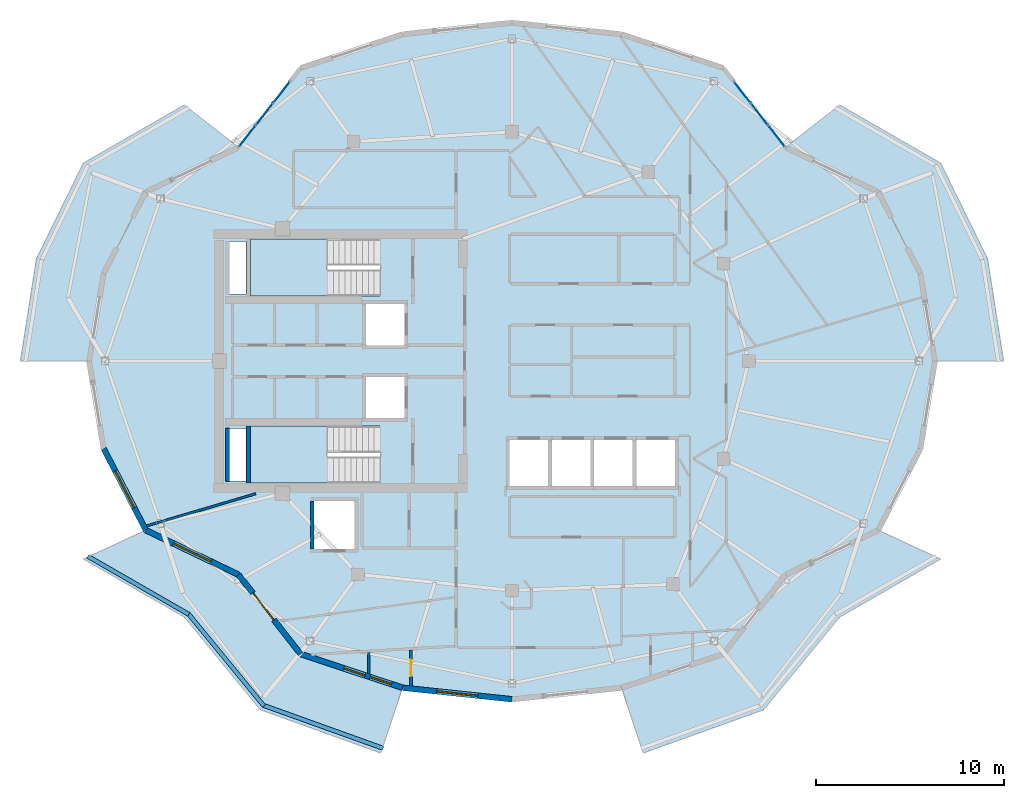
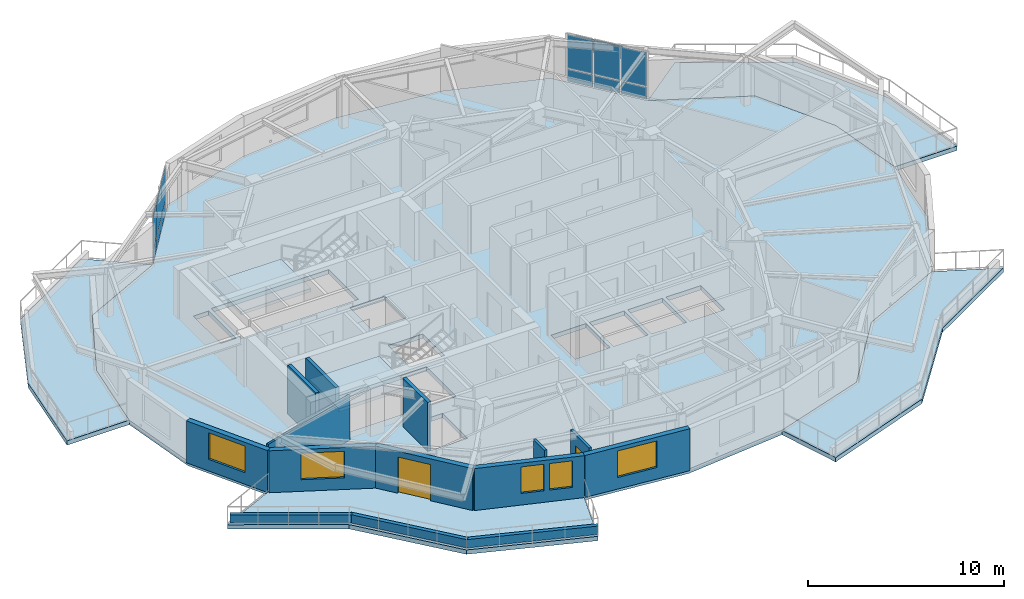
# One storey, part 6 of 14: 14 plates, 14 walls, 7 slabs, 5 windows, 2 doors, 7 openings, 4 elements without a shape of their own.
"""IFC4 building model written with IfcOpenShell, lengths in metres."""

import ifcopenshell
import ifcopenshell.guid

model = None  # the IFC model being written
_history = None  # IfcOwnerHistory: only IFC2X3 demands one
_inside = {}  # id of a spatial element -> (the spatial element, [elements in it])
_under = {}  # id of a project, library or spatial element -> (it, [spatial elements below it])
_declared = {}  # id of a project -> (the project, [libraries it declares])
_typed = {}  # id of a type object -> (the type object, [elements of that type])
_made_of = {}  # id of a material, layer set ... -> (it, [elements and type objects made of it])


def new_model(schema):
    """Start an empty IFC model of exactly this schema.

    Asked for "IFC4X3", IfcOpenShell would pick the latest addendum, in which some entities
    have other attributes; the version numbers below select the first issue.
    IFC2X3 requires an IfcOwnerHistory on every rooted entity: one is made here for all.
    """
    global model, _history
    if schema == "IFC4X3":
        model = ifcopenshell.file(schema_version=(4, 3, 0, 0))
    else:
        model = ifcopenshell.file(schema=schema)
    _inside.clear()
    _under.clear()
    _declared.clear()
    _typed.clear()
    _made_of.clear()
    _history = None
    if model.schema == "IFC2X3":
        org = make("IfcOrganization", Name="unknown")
        user = make(
            "IfcPersonAndOrganization",
            ThePerson=make("IfcPerson", FamilyName="unknown"),
            TheOrganization=org,
        )
        app = make(
            "IfcApplication",
            ApplicationDeveloper=org,
            Version="unknown",
            ApplicationFullName="unknown",
            ApplicationIdentifier="unknown",
        )
        _history = make(
            "IfcOwnerHistory",
            OwningUser=user,
            OwningApplication=app,
            ChangeAction="ADDED",
            CreationDate=0,
        )
    return model


def make(cls, **values):
    """One entity of the class cls with the attributes given. An attribute that is None is left unset."""
    return model.create_entity(
        cls, **{name: value for name, value in values.items() if value is not None}
    )


def rooted(cls, **values):
    """An entity with a GlobalId (a new one), such as an element, a storey or a relation."""
    return make(cls, GlobalId=ifcopenshell.guid.new(), OwnerHistory=_history, **values)


def si_unit(unit_type, name, prefix=None):
    """IfcSIUnit, for example si_unit("LENGTHUNIT", "METRE", prefix="MILLI")."""
    return make("IfcSIUnit", UnitType=unit_type, Prefix=prefix, Name=name)


def assignment(units):
    """IfcUnitAssignment: the units of a project."""
    return None if units is None else make("IfcUnitAssignment", Units=units)


def point(xyz):
    """IfcCartesianPoint."""
    return None if xyz is None else make("IfcCartesianPoint", Coordinates=xyz)


def direction(xyz):
    """IfcDirection."""
    return None if xyz is None else make("IfcDirection", DirectionRatios=xyz)


def frame(location, z_axis=None, x_axis=None):
    """IfcAxis2Placement3D, a coordinate frame: its origin and axes. An axis left out is left unset."""
    return make(
        "IfcAxis2Placement3D",
        Location=point(location),
        Axis=direction(z_axis),
        RefDirection=direction(x_axis),
    )


def frame_2d(location, x_axis=None):
    """IfcAxis2Placement2D, a coordinate frame in the plane: its origin and x axis."""
    return make(
        "IfcAxis2Placement2D", Location=point(location), RefDirection=direction(x_axis)
    )


def origin():
    """The frame at (0, 0, 0) with its axes left unset."""
    return frame((0.0, 0.0, 0.0))


def origin_2d():
    """The frame at (0, 0) in the plane with its x axis left unset."""
    return frame_2d((0.0, 0.0))


def place(relative_to, where):
    """IfcLocalPlacement: puts the frame where relative to a parent placement (None: the world)."""
    return make(
        "IfcLocalPlacement", PlacementRelTo=relative_to, RelativePlacement=where
    )


def context(
    kind, dimensions, precision=None, world=None, true_north=None, identifier=None
):
    """IfcGeometricRepresentationContext, for example the 3D "Model" context."""
    return make(
        "IfcGeometricRepresentationContext",
        ContextIdentifier=identifier,
        ContextType=kind,
        CoordinateSpaceDimension=dimensions,
        Precision=precision,
        WorldCoordinateSystem=world,
        TrueNorth=true_north,
    )


def subcontext(parent, identifier, kind, view, scale=None):
    """IfcGeometricRepresentationSubContext, for example "Body" below "Model"."""
    return make(
        "IfcGeometricRepresentationSubContext",
        ContextIdentifier=identifier,
        ContextType=kind,
        ParentContext=parent,
        TargetScale=scale,
        TargetView=view,
    )


def project(units=None, contexts=None):
    """IfcProject with its units and contexts."""
    return rooted(
        "IfcProject",
        Name="project",
        RepresentationContexts=contexts,
        UnitsInContext=assignment(units),
    )


def spatial(cls, under=None, at=None, **own):
    """A site, building, storey or space (cls), placed at a placement, below another one or the project."""
    s = rooted(cls, ObjectPlacement=at, **own)
    if under is not None:
        _under.setdefault(under.id(), (under, []))[1].append(s)
    return s


def polyline(points):
    """IfcPolyline through the points."""
    return make("IfcPolyline", Points=[point(p) for p in points])


def profile(cls, at=None, kind="AREA", **sizes):
    """A parametric profile (cls). Its sizes go by their IFC names, for example OverallWidth=200.0."""
    return make(cls, ProfileType=kind, Position=at, **sizes)


def rectangle(**sizes):
    """IfcRectangleProfileDef."""
    return profile("IfcRectangleProfileDef", **sizes)


def outline(outer, holes=None, kind="AREA"):
    """IfcArbitraryClosedProfileDef: a profile drawn as a closed curve; with holes, ...WithVoids."""
    if holes is None:
        return make("IfcArbitraryClosedProfileDef", ProfileType=kind, OuterCurve=outer)
    return make(
        "IfcArbitraryProfileDefWithVoids",
        ProfileType=kind,
        OuterCurve=outer,
        InnerCurves=holes,
    )


def extrude(swept, where, along, depth):
    """IfcExtrudedAreaSolid: the profile swept, set in the frame where, extruded along a direction by depth."""
    return make(
        "IfcExtrudedAreaSolid",
        SweptArea=swept,
        Position=where,
        ExtrudedDirection=direction(along),
        Depth=depth,
    )


def shape(context_of_items, identifier, shape_type, items):
    """IfcShapeRepresentation: the items that make up one representation, for example the "Body"."""
    return make(
        "IfcShapeRepresentation",
        ContextOfItems=context_of_items,
        RepresentationIdentifier=identifier,
        RepresentationType=shape_type,
        Items=items,
    )


def material(Name=None, Category=None):
    """IfcMaterial."""
    return make("IfcMaterial", Name=Name, Category=Category)


def layer(
    of_material, thickness, ventilated=None, Name=None, Category=None, Priority=None
):
    """IfcMaterialLayer: one layer of a wall or slab, of a material (None: an air gap)."""
    return make(
        "IfcMaterialLayer",
        Material=of_material,
        LayerThickness=thickness,
        IsVentilated=ventilated,
        Name=Name,
        Category=Category,
        Priority=Priority,
    )


def layer_set(layers, Name=None):
    """IfcMaterialLayerSet."""
    return make("IfcMaterialLayerSet", MaterialLayers=layers, LayerSetName=Name)


def made_of(thing, what):
    """Note that an element or type object is made of a material, layer set ...; save() writes the relation."""
    if what is not None:
        _made_of.setdefault(what.id(), (what, []))[1].append(thing)
    return thing


def type_object(cls, material=None, **own):
    """A type object (cls), such as IfcWallType, which elements share."""
    return made_of(rooted(cls, **own), material)


def element(
    cls,
    number,
    at=None,
    inside=None,
    cuts=None,
    type_object=None,
    material=None,
    context=None,
    identifier="Body",
    shape_type=None,
    held_by="IfcProductDefinitionShape",
    body=None,
    shapes=None,
    **own,
):
    """One element of the class cls, such as IfcWall. Its Tag is "e" and its number.

    at: its placement. inside: the storey or other place that contains it. cuts: it is an
    opening in that element (IfcRelVoidsElement). A single representation is given by context,
    identifier, shape_type and body (its items); several are given by shapes. held_by: the class
    of the entity that holds the representations. save() writes the other relations.
    """
    e = rooted(cls, Tag="e%d" % number, ObjectPlacement=at, **own)
    if body is not None:
        shapes = [shape(context, identifier, shape_type, body)]
    if shapes is not None:
        e.Representation = make(held_by, Representations=shapes)
    if inside is not None:
        _inside.setdefault(inside.id(), (inside, []))[1].append(e)
    if cuts is not None:
        rooted(
            "IfcRelVoidsElement", RelatingBuildingElement=cuts, RelatedOpeningElement=e
        )
    if type_object is not None:
        _typed.setdefault(type_object.id(), (type_object, []))[1].append(e)
    return made_of(e, material)


def fill(opening, filler):
    """IfcRelFillsElement: the door or window that sits in an opening."""
    return rooted(
        "IfcRelFillsElement",
        RelatingOpeningElement=opening,
        RelatedBuildingElement=filler,
    )


def aggregate(whole, parts):
    """IfcRelAggregates: a whole, such as a stair, and the parts it consists of."""
    return rooted("IfcRelAggregates", RelatingObject=whole, RelatedObjects=parts)


def save(model, path):
    """Write the relations noted so far, then the file.

    IfcRelAggregates (storeys below a building ...), IfcRelContainedInSpatialStructure (elements
    in a storey), IfcRelDefinesByType, IfcRelAssociatesMaterial and IfcRelDeclares: one each for
    every whole, place, type object, material and project.
    """
    for whole, parts in _under.values():
        aggregate(whole, parts)
    for where, things in _inside.values():
        rooted(
            "IfcRelContainedInSpatialStructure",
            RelatedElements=things,
            RelatingStructure=where,
        )
    for kind, things in _typed.values():
        rooted("IfcRelDefinesByType", RelatedObjects=things, RelatingType=kind)
    for what, things in _made_of.values():
        rooted("IfcRelAssociatesMaterial", RelatedObjects=things, RelatingMaterial=what)
    for by, libraries in _declared.values():
        rooted("IfcRelDeclares", RelatingContext=by, RelatedDefinitions=libraries)
    model.write(path)


model = new_model("IFC4")

# Units and contexts
model_context = context("Model", 3, precision=1e-05, world=origin(), true_north=direction((0.0, 1.0)))
body_context = subcontext(model_context, "Body", "Model", "MODEL_VIEW")
ifc_project = project(units=[si_unit("LENGTHUNIT", "METRE"), si_unit("AREAUNIT", "SQUARE_METRE"), si_unit("VOLUMEUNIT", "CUBIC_METRE"), si_unit("PLANEANGLEUNIT", "RADIAN"), si_unit("MASSUNIT", "GRAM", prefix="KILO")], contexts=[model_context])

# Site, building, storey
site_placement = place(None, origin())
site = spatial("IfcSite", under=ifc_project, at=site_placement, CompositionType="ELEMENT")
building_placement = place(site_placement, origin())
building = spatial("IfcBuilding", under=site, at=building_placement, Name="Kolvaren Gate Tower and Convention Centre", CompositionType="ELEMENT")
storey_placement = place(building_placement, frame((0.0, 0.0, 245.89990234375)))
storey = spatial("IfcBuildingStorey", under=building, at=storey_placement, Name="L66", CompositionType="ELEMENT", Elevation=245.89990234375)

# Plates
ifc_material_1 = material(Name="Perforated Anodized Bronze Aluminium Sheet 6 mm", Category="aluminium")
ifc_layer_1 = layer(ifc_material_1, 0.011962890625)
ifc_layer_set_1 = layer_set([ifc_layer_1], Name="Perforated Anodized Bronze Aluminium Sheet 6 mm")
plate_type_1 = type_object("IfcPlateType", Name="ARCH-PL-SCREEN-PERF", PredefinedType="SHEET", material=ifc_layer_set_1)
for number, where, z_axis, x_axis, name in (
    (1, (43.026123046875, 40.4794921875, 2.18994140625), (0.0, 0.0, 1.0), (0.616435493395, -0.787405411769, 0.0), "Tower L66 Perforated Bronze Solar Screen SS-03"),
    (2, (17.223876953125, 40.4794921875, 2.18994140625), (0.0, 0.0, 1.0), (0.616435493395, 0.787405411769, 0.0), "Tower L66 Perforated Bronze Solar Screen SS-08"),
):
    element("IfcPlate", number, at=place(storey_placement, frame(where, z_axis=z_axis, x_axis=x_axis)), inside=storey, type_object=plate_type_1, Name=name, PredefinedType="SHEET", context=body_context, shape_type="SweptSolid", body=[
        extrude(rectangle(XDim=2.60009765625, YDim=0.011962890625, at=origin_2d()), origin(), (0.0, 0.0, 1.0), 0.840087890625),
    ])

# Curtain wall, plates
ifc_material_2 = material(Name="Anodized Architectural Aluminium Alloy 6063-T6", Category="aluminium")
ifc_layer_2 = layer(ifc_material_2, 0.159912109375)
ifc_layer_set_2 = layer_set([ifc_layer_2], Name="Anodized Architectural Aluminium Alloy 6063-T6")
curtain_wall_type = type_object("IfcCurtainWallType", Name="CW-RES-UNIT", PredefinedType="NOTDEFINED", material=ifc_layer_set_2)
curtain_wall_1_placement = place(storey_placement, origin())
curtain_wall_1 = element("IfcCurtainWall", 3, at=curtain_wall_1_placement, inside=storey, type_object=curtain_wall_type, Name="Tower L66 Unitised Curtain Wall CW-RES-UNIT Bay 03", PredefinedType="NOTDEFINED")
ifc_material_3 = material(Name="Low-E Triple Insulated Glazing Unit 44 mm", Category="glass")
ifc_layer_3 = layer(ifc_material_3, 0.0439453125)
ifc_layer_set_3 = layer_set([ifc_layer_3], Name="Low-E Triple Insulated Glazing Unit 44 mm")
plate_type_2 = type_object("IfcPlateType", Name="CW-PL-IGU-44", PredefinedType="CURTAIN_PANEL", material=ifc_layer_set_3)
plate_1_placement = place(storey_placement, frame((42.385498046875, 41.2978515625, 0.882568359375), z_axis=(0.0, 0.0, 1.0), x_axis=(0.616438827479, -0.787402801606, 0.0)))
plate_1 = element("IfcPlate", 4, at=plate_1_placement, type_object=plate_type_2, Name="CW-04 panel 1.2", PredefinedType="CURTAIN_PANEL", context=body_context, shape_type="SweptSolid", body=[
    extrude(rectangle(XDim=1.396240234375, YDim=0.0439453125, at=origin_2d()), origin(), (0.0, 0.0, 1.0), 2.08251953125),
])
plate_2_placement = place(storey_placement, frame((43.296142578125, 40.134521484375, 0.882568359375), z_axis=(0.0, 0.0, 1.0), x_axis=(0.616438827479, -0.787402801606, 0.0)))
plate_2 = element("IfcPlate", 5, at=plate_2_placement, type_object=plate_type_2, Name="CW-04 panel 2.2", PredefinedType="CURTAIN_PANEL", context=body_context, shape_type="SweptSolid", body=[
    extrude(rectangle(XDim=1.4287109375, YDim=0.0439453125, at=origin_2d()), origin(), (0.0, 0.0, 1.0), 2.08251953125),
])
plate_3_placement = place(storey_placement, frame((44.206787109375, 38.97119140625, 0.882568359375), z_axis=(0.0, 0.0, 1.0), x_axis=(0.616438827479, -0.787402801606, 0.0)))
plate_3 = element("IfcPlate", 6, at=plate_3_placement, type_object=plate_type_2, Name="CW-04 panel 3.2", PredefinedType="CURTAIN_PANEL", context=body_context, shape_type="SweptSolid", body=[
    extrude(rectangle(XDim=1.396240234375, YDim=0.0439453125, at=origin_2d()), origin(), (0.0, 0.0, 1.0), 2.08251953125),
])

curtain_wall_2_placement = place(storey_placement, origin())
curtain_wall_2 = element("IfcCurtainWall", 7, at=curtain_wall_2_placement, inside=storey, type_object=curtain_wall_type, Name="Tower L66 Unitised Curtain Wall CW-RES-UNIT Bay 08", PredefinedType="NOTDEFINED")
plate_4_placement = place(storey_placement, frame((16.04296875, 38.97119140625, 0.882568359375), z_axis=(0.0, 0.0, 1.0), x_axis=(0.61642499112, 0.787413633564, 0.0)))
plate_4 = element("IfcPlate", 8, at=plate_4_placement, type_object=plate_type_2, Name="CW-04 panel 1.2", PredefinedType="CURTAIN_PANEL", context=body_context, shape_type="SweptSolid", body=[
    extrude(rectangle(XDim=1.396240234375, YDim=0.0439453125, at=origin_2d()), origin(), (0.0, 0.0, 1.0), 2.08251953125),
])
plate_5_placement = place(storey_placement, frame((16.953857421875, 40.134521484375, 0.882568359375), z_axis=(0.0, 0.0, 1.0), x_axis=(0.61642499112, 0.787413633564, 0.0)))
plate_5 = element("IfcPlate", 9, at=plate_5_placement, type_object=plate_type_2, Name="CW-04 panel 2.2", PredefinedType="CURTAIN_PANEL", context=body_context, shape_type="SweptSolid", body=[
    extrude(rectangle(XDim=1.4287109375, YDim=0.0439453125, at=origin_2d()), origin(), (0.0, 0.0, 1.0), 2.08251953125),
])
plate_6_placement = place(storey_placement, frame((17.864501953125, 41.2978515625, 0.882568359375), z_axis=(0.0, 0.0, 1.0), x_axis=(0.61642499112, 0.787413633564, 0.0)))
plate_6 = element("IfcPlate", 10, at=plate_6_placement, type_object=plate_type_2, Name="CW-04 panel 3.2", PredefinedType="CURTAIN_PANEL", context=body_context, shape_type="SweptSolid", body=[
    extrude(rectangle(XDim=1.396240234375, YDim=0.0439453125, at=origin_2d()), origin(), (0.0, 0.0, 1.0), 2.08251953125),
])

# Plate
ifc_material_4 = material(Name="Solar-Control Laminated Curtain Glazing 36 mm", Category="glass")
ifc_layer_4 = layer(ifc_material_4, 0.035888671875)
ifc_layer_set_4 = layer_set([ifc_layer_4], Name="Solar-Control Laminated Curtain Glazing 36 mm")
plate_type_3 = type_object("IfcPlateType", Name="CW-PL-SPAN-36", PredefinedType="CURTAIN_PANEL", material=ifc_layer_set_4)
plate_7_placement = place(storey_placement, frame((42.385498046875, 41.2978515625, 0.065185546875), z_axis=(0.0, 0.0, 1.0), x_axis=(0.616438827479, -0.787402801606, 0.0)))
plate_7 = element("IfcPlate", 11, at=plate_7_placement, type_object=plate_type_3, Name="CW-04 panel 1.1", PredefinedType="CURTAIN_PANEL", context=body_context, shape_type="SweptSolid", body=[
    extrude(rectangle(XDim=1.396240234375, YDim=0.035888671875, at=origin_2d()), origin(), (0.0, 0.0, 1.0), 0.75244140625),
])

plate_8_placement = place(storey_placement, frame((43.296142578125, 40.134521484375, 0.065185546875), z_axis=(0.0, 0.0, 1.0), x_axis=(0.616438827479, -0.787402801606, 0.0)))
plate_8 = element("IfcPlate", 12, at=plate_8_placement, type_object=plate_type_3, Name="CW-04 panel 2.1", PredefinedType="CURTAIN_PANEL", context=body_context, shape_type="SweptSolid", body=[
    extrude(rectangle(XDim=1.4287109375, YDim=0.035888671875, at=origin_2d()), origin(), (0.0, 0.0, 1.0), 0.75244140625),
])

plate_9_placement = place(storey_placement, frame((44.206787109375, 38.97119140625, 0.065185546875), z_axis=(0.0, 0.0, 1.0), x_axis=(0.616438827479, -0.787402801606, 0.0)))
plate_9 = element("IfcPlate", 13, at=plate_9_placement, type_object=plate_type_3, Name="CW-04 panel 3.1", PredefinedType="CURTAIN_PANEL", context=body_context, shape_type="SweptSolid", body=[
    extrude(rectangle(XDim=1.396240234375, YDim=0.035888671875, at=origin_2d()), origin(), (0.0, 0.0, 1.0), 0.75244140625),
])

aggregate(curtain_wall_1, [plate_7, plate_1, plate_8, plate_2, plate_9, plate_3])

plate_10_placement = place(storey_placement, frame((16.04296875, 38.97119140625, 0.065185546875), z_axis=(0.0, 0.0, 1.0), x_axis=(0.61642499112, 0.787413633564, 0.0)))
plate_10 = element("IfcPlate", 14, at=plate_10_placement, type_object=plate_type_3, Name="CW-04 panel 1.1", PredefinedType="CURTAIN_PANEL", context=body_context, shape_type="SweptSolid", body=[
    extrude(rectangle(XDim=1.396240234375, YDim=0.035888671875, at=origin_2d()), origin(), (0.0, 0.0, 1.0), 0.75244140625),
])

plate_11_placement = place(storey_placement, frame((16.953857421875, 40.134521484375, 0.065185546875), z_axis=(0.0, 0.0, 1.0), x_axis=(0.61642499112, 0.787413633564, 0.0)))
plate_11 = element("IfcPlate", 15, at=plate_11_placement, type_object=plate_type_3, Name="CW-04 panel 2.1", PredefinedType="CURTAIN_PANEL", context=body_context, shape_type="SweptSolid", body=[
    extrude(rectangle(XDim=1.4287109375, YDim=0.035888671875, at=origin_2d()), origin(), (0.0, 0.0, 1.0), 0.75244140625),
])

plate_12_placement = place(storey_placement, frame((17.864501953125, 41.2978515625, 0.065185546875), z_axis=(0.0, 0.0, 1.0), x_axis=(0.61642499112, 0.787413633564, 0.0)))
plate_12 = element("IfcPlate", 16, at=plate_12_placement, type_object=plate_type_3, Name="CW-04 panel 3.1", PredefinedType="CURTAIN_PANEL", context=body_context, shape_type="SweptSolid", body=[
    extrude(rectangle(XDim=1.396240234375, YDim=0.035888671875, at=origin_2d()), origin(), (0.0, 0.0, 1.0), 0.75244140625),
])

aggregate(curtain_wall_2, [plate_10, plate_4, plate_11, plate_5, plate_12, plate_6])

# Slabs
ifc_material_5 = material(Name="Concrete C50/60", Category="concrete")
ifc_layer_5 = layer(ifc_material_5, 0.27001953125)
ifc_layer_set_5 = layer_set([ifc_layer_5], Name="Concrete C50/60")
slab_type_1 = type_object("IfcSlabType", Name="STR-SL-BALC-270", PredefinedType="FLOOR", material=ifc_layer_set_5)
slab_1_placement = place(storey_placement, frame((0.0, 0.0, -0.27001953125)))
element("IfcSlab", 17, at=slab_1_placement, inside=storey, type_object=slab_type_1, Name="Tower L66 Planted Balcony Terrace Slab 1 (East)", PredefinedType="FLOOR", context=body_context, shape_type="SweptSolid", body=[
    extrude(outline(polyline([(52.625, 27.0), (51.8583984375, 31.65869140625), (49.610595703125, 36.0), (44.67724609375, 38.370361328125), (47.561279296875, 40.623779296875), (52.933349609375, 37.53466796875), (55.43701171875, 32.42578125), (56.284912109375, 27.0), (52.625, 27.0)])), origin(), (0.0, 0.0, 1.0), 0.27001953125),
])
slab_2_placement = place(storey_placement, frame((0.0, 0.0, -0.27001953125)))
element("IfcSlab", 18, at=slab_2_placement, inside=storey, type_object=slab_type_1, Name="Tower L66 Planted Balcony Terrace Slab 2 (West)", PredefinedType="FLOOR", context=body_context, shape_type="SweptSolid", body=[
    extrude(outline(polyline([(15.57275390625, 38.370361328125), (10.639404296875, 36.0), (8.3916015625, 31.65869140625), (7.625, 27.0), (3.965087890625, 27.0), (4.81298828125, 32.42578125), (7.316650390625, 37.53466796875), (12.688720703125, 40.623779296875), (15.57275390625, 38.370361328125)])), origin(), (0.0, 0.0, 1.0), 0.27001953125),
])
slab_3_placement = place(storey_placement, frame((0.0, 0.0, -0.27001953125)))
element("IfcSlab", 19, at=slab_3_placement, inside=storey, type_object=slab_type_1, Name="Tower L66 Planted Balcony Terrace Slab 3 (South)", PredefinedType="FLOOR", context=body_context, shape_type="SweptSolid", body=[
    extrude(outline(polyline([(10.639404296875, 18.0), (15.57275390625, 15.629638671875), (18.875, 11.41162109375), (24.301513671875, 9.61328125), (23.13916015625, 6.142822265625), (16.733154296875, 8.443603515625), (12.688720703125, 13.376220703125), (7.316650390625, 16.46533203125), (10.639404296875, 18.0)])), origin(), (0.0, 0.0, 1.0), 0.27001953125),
])
slab_4_placement = place(storey_placement, frame((0.0, 0.0, -0.27001953125)))
element("IfcSlab", 20, at=slab_4_placement, inside=storey, type_object=slab_type_1, Name="Tower L66 Planted Balcony Terrace Slab 4 (South)", PredefinedType="FLOOR", context=body_context, shape_type="SweptSolid", body=[
    extrude(outline(polyline([(35.948486328125, 9.61328125), (41.375, 11.41162109375), (44.67724609375, 15.629638671875), (49.610595703125, 18.0), (52.933349609375, 16.46533203125), (47.561279296875, 13.376220703125), (43.516845703125, 8.443603515625), (37.11083984375, 6.142822265625), (35.948486328125, 9.61328125)])), origin(), (0.0, 0.0, 1.0), 0.27001953125),
])
ifc_material_6 = material(Name="Concrete C40/50", Category="concrete")
ifc_layer_6 = layer(ifc_material_6, 0.27001953125)
ifc_layer_set_6 = layer_set([ifc_layer_6], Name="Concrete C40/50")
slab_type_2 = type_object("IfcSlabType", Name="STR-SL-FLR-270", PredefinedType="FLOOR", material=ifc_layer_set_6)
slab_5_placement = place(storey_placement, frame((0.0, 0.0, -0.27001953125)))
element("IfcSlab", 21, at=slab_5_placement, inside=storey, type_object=slab_type_2, Name="Tower L66 Structural Floor Slab", PredefinedType="FLOOR", context=body_context, shape_type="SweptSolid", body=[
    extrude(outline(polyline([(52.625, 27.0), (51.8583984375, 31.65869140625), (49.610595703125, 36.0), (44.67724609375, 38.370361328125), (41.375, 42.58837890625), (35.948486328125, 44.38671875), (30.125, 45.0), (24.301513671875, 44.38671875), (18.875, 42.58837890625), (15.57275390625, 38.370361328125), (10.639404296875, 36.0), (8.3916015625, 31.65869140625), (7.625, 27.0), (8.3916015625, 22.34130859375), (10.639404296875, 18.0), (15.57275390625, 15.629638671875), (18.875, 11.41162109375), (24.301513671875, 9.61328125), (30.125, 9.0), (35.948486328125, 9.61328125), (41.375, 11.41162109375), (44.67724609375, 15.629638671875), (49.610595703125, 18.0), (51.8583984375, 22.34130859375), (52.625, 27.0)]), holes=[polyline([(36.75, 20.35009765625), (36.75, 22.800048828125), (38.800048828125, 22.800048828125), (38.800048828125, 20.35009765625), (36.75, 20.35009765625)]), polyline([(36.550048828125, 20.35009765625), (34.5, 20.35009765625), (34.5, 22.800048828125), (36.550048828125, 22.800048828125), (36.550048828125, 20.35009765625)]), polyline([(32.25, 20.35009765625), (32.25, 22.800048828125), (34.300048828125, 22.800048828125), (34.300048828125, 20.35009765625), (32.25, 20.35009765625)]), polyline([(30.0, 20.35009765625), (30.0, 22.800048828125), (32.050048828125, 22.800048828125), (32.050048828125, 20.35009765625), (30.0, 20.35009765625)]), polyline([(22.35009765625, 23.9599609375), (22.35009765625, 26.159912109375), (24.39990234375, 26.159912109375), (24.39990234375, 23.9599609375), (22.35009765625, 23.9599609375)]), polyline([(22.35009765625, 27.840087890625), (22.35009765625, 30.0400390625), (24.39990234375, 30.0400390625), (24.39990234375, 27.840087890625), (22.35009765625, 27.840087890625)]), polyline([(16.199951171875, 23.5400390625), (23.10009765625, 23.5400390625), (23.10009765625, 20.5), (16.199951171875, 20.5), (16.199951171875, 23.5400390625)]), polyline([(16.199951171875, 33.5), (23.10009765625, 33.5), (23.10009765625, 30.4599609375), (16.199951171875, 30.4599609375), (16.199951171875, 33.5)]), polyline([(21.75, 17.0), (19.60009765625, 17.0), (19.60009765625, 19.550048828125), (21.75, 19.550048828125), (21.75, 17.0)]), polyline([(15.080078125, 30.580078125), (15.080078125, 33.3701171875), (15.969970703125, 33.3701171875), (15.969970703125, 30.580078125), (15.080078125, 30.580078125)]), polyline([(15.969970703125, 20.6298828125), (15.080078125, 20.6298828125), (15.080078125, 23.419921875), (15.969970703125, 23.419921875), (15.969970703125, 20.6298828125)])]), origin(), (0.0, 0.0, 1.0), 0.27001953125),
])

# Stair, slab
stair_type = type_object("IfcStairType", Name="STR-STAIR-CORE", PredefinedType="HALF_TURN_STAIR", material=ifc_material_5)
stair_1_placement = place(storey_placement, origin())
stair_1 = element("IfcStair", 22, at=stair_1_placement, inside=storey, type_object=stair_type, Name="L66 Tower North Exit Stair ST-T1", PredefinedType="HALF_TURN_STAIR")
ifc_layer_7 = layer(ifc_material_5, 0.199951171875)
ifc_layer_set_7 = layer_set([ifc_layer_7], Name="Concrete C50/60")
slab_type_3 = type_object("IfcSlabType", Name="STR-SL-LAND-200", PredefinedType="LANDING", material=ifc_layer_set_7)
slab_6_placement = place(storey_placement, frame((0.0, 0.0, 1.4501953125)))
slab_6 = element("IfcSlab", 23, at=slab_6_placement, type_object=slab_type_3, Name="ST-T1 landing 1", PredefinedType="LANDING", context=body_context, shape_type="SweptSolid", body=[
    extrude(outline(polyline([(20.31005859375, 33.5), (16.199951171875, 33.5), (16.199951171875, 30.4599609375), (20.31005859375, 30.4599609375), (20.31005859375, 33.5)])), origin(), (0.0, 0.0, 1.0), 0.199951171875),
])
aggregate(stair_1, [slab_6])

stair_2_placement = place(storey_placement, origin())
stair_2 = element("IfcStair", 24, at=stair_2_placement, inside=storey, type_object=stair_type, Name="L66 Tower South Exit Stair ST-T2", PredefinedType="HALF_TURN_STAIR")
slab_7_placement = place(storey_placement, frame((0.0, 0.0, 1.4501953125)))
slab_7 = element("IfcSlab", 25, at=slab_7_placement, type_object=slab_type_3, Name="ST-T2 landing 1", PredefinedType="LANDING", context=body_context, shape_type="SweptSolid", body=[
    extrude(outline(polyline([(20.31005859375, 23.5400390625), (16.199951171875, 23.5400390625), (16.199951171875, 20.5), (20.31005859375, 20.5), (20.31005859375, 23.5400390625)])), origin(), (0.0, 0.0, 1.0), 0.199951171875),
])
aggregate(stair_2, [slab_7])

# Walls
ifc_material_7 = material(Name="Fire-Rated Acoustic Gypsum Stud Partition", Category="gypsum")
ifc_layer_8 = layer(ifc_material_7, 0.1201171875)
ifc_layer_set_8 = layer_set([ifc_layer_8], Name="Fire-Rated Acoustic Gypsum Stud Partition")
wall_type_1 = type_object("IfcWallType", Name="ARCH-WL-PART-120", PredefinedType="PARTITIONING", material=ifc_layer_set_8)
wall_1_placement = place(storey_placement, frame((10.691650390625, 18.229736328125, 0.0), z_axis=(0.0, 0.0, 1.0), x_axis=(0.959163130609, 0.282853475992, 0.0)))
element("IfcWall", 26, at=wall_1_placement, inside=storey, type_object=wall_type_1, Name="Interior Partition WL-L66-INT-070", PredefinedType="PARTITIONING", context=body_context, shape_type="SweptSolid", body=[
    extrude(rectangle(XDim=6.039306640625, YDim=0.1201171875, at=frame_2d((3.01953125, 0.0))), origin(), (0.0, 0.0, 1.0), 2.77001953125),
])
ifc_material_8 = material(Name="Piedmont Cream Honed Limestone Cladding", Category="masonry")
ifc_layer_9 = layer(ifc_material_8, 0.219970703125)
ifc_layer_set_9 = layer_set([ifc_layer_9], Name="Piedmont Cream Honed Limestone Cladding")
wall_type_2 = type_object("IfcWallType", Name="ARCH-WL-PLANTER-220", PredefinedType="PARAPET", material=ifc_layer_set_9)
wall_2_placement = place(storey_placement, frame((7.556884765625, 16.609375, 0.0), z_axis=(0.0, 0.0, 1.0), x_axis=(0.866901621005, -0.49847926687, 0.0)))
element("IfcWall", 27, at=wall_2_placement, inside=storey, type_object=wall_type_2, Name="Vertical-Forest Balcony Stone Planter Kerb PK-L66-3.1", PredefinedType="PARAPET", context=body_context, shape_type="SweptSolid", body=[
    extrude(rectangle(XDim=6.196533203125, YDim=0.219970703125, at=frame_2d((3.09814453125, 0.0))), origin(), (0.0, 0.0, 1.0), 0.52001953125),
])
wall_3_placement = place(storey_placement, frame((12.88232421875, 13.57861328125, 0.0), z_axis=(0.0, 0.0, 1.0), x_axis=(0.63407318032, -0.77327304492, 0.0)))
element("IfcWall", 28, at=wall_3_placement, inside=storey, type_object=wall_type_2, Name="Vertical-Forest Balcony Stone Planter Kerb PK-L66-3.2", PredefinedType="PARAPET", context=body_context, shape_type="SweptSolid", body=[
    extrude(rectangle(XDim=6.37890625, YDim=0.219970703125, at=frame_2d((3.189453125, 0.0))), origin(), (0.0, 0.0, 1.0), 0.52001953125),
])
wall_4_placement = place(storey_placement, frame((16.86181640625, 8.6923828125, 0.0), z_axis=(0.0, 0.0, 1.0), x_axis=(0.941139090914, -0.338019543152, 0.0)))
element("IfcWall", 29, at=wall_4_placement, inside=storey, type_object=wall_type_2, Name="Vertical-Forest Balcony Stone Planter Kerb PK-L66-3.3", PredefinedType="PARAPET", context=body_context, shape_type="SweptSolid", body=[
    extrude(rectangle(XDim=6.806640625, YDim=0.219970703125, at=frame_2d((3.4033203125, 0.0))), origin(), (0.0, 0.0, 1.0), 0.52001953125),
])
ifc_material_9 = material(Name="Autoclaved Aerated Masonry Blockwork Class 4 (4.0 MPa)", Category="masonry")
ifc_layer_10 = layer(ifc_material_9, 0.199951171875)
ifc_layer_set_10 = layer_set([ifc_layer_10], Name="Autoclaved Aerated Masonry Blockwork Class 4 (4.0 MPa)")
wall_type_3 = type_object("IfcWallType", Name="ARCH-WL-SHAFT-200", PredefinedType="SOLIDWALL", material=ifc_layer_set_10)
wall_5_placement = place(storey_placement, frame((19.5, 17.010009765625, 0.0), z_axis=(0.0, 0.0, 1.0), x_axis=(0.0, 1.0, 0.0)))
element("IfcWall", 30, at=wall_5_placement, inside=storey, type_object=wall_type_3, Name="Elevator SV-01 L66 Fire Shaft Wall W", PredefinedType="SOLIDWALL", context=body_context, shape_type="SweptSolid", body=[
    extrude(rectangle(XDim=2.530029296875, YDim=0.199951171875, at=frame_2d((1.26513671875, 0.0))), origin(), (0.0, 0.0, 1.0), 3.030029296875),
])
wall_6_placement = place(storey_placement, frame((14.989990234375, 20.60009765625, 0.0), z_axis=(0.0, 0.0, 1.0), x_axis=(0.0, 1.0, 0.0)))
element("IfcWall", 31, at=wall_6_placement, inside=storey, type_object=wall_type_3, Name="Vertical Shaft MPR L66 EI-120 Enclosure Wall W", PredefinedType="SOLIDWALL", context=body_context, shape_type="SweptSolid", body=[
    extrude(rectangle(XDim=2.849853515625, YDim=0.199951171875, at=frame_2d((1.4248046875, 0.0))), origin(), (0.0, 0.0, 1.0), 3.030029296875),
])

# Wall, opening, window
ifc_layer_11 = layer(ifc_material_8, 0.300048828125)
ifc_layer_set_11 = layer_set([ifc_layer_11], Name="Piedmont Cream Honed Limestone Cladding")
wall_type_4 = type_object("IfcWallType", Name="ARCH-WL-STONE-300", PredefinedType="SOLIDWALL", material=ifc_layer_set_11)
wall_7_placement = place(storey_placement, frame((8.3916015625, 22.34130859375, 0.0), z_axis=(0.0, 0.0, 1.0), x_axis=(0.459793771602, -0.888025724625, 0.0)))
wall_7 = element("IfcWall", 32, at=wall_7_placement, inside=storey, type_object=wall_type_4, Name="Tower L66 Honed Stone Spandrel Wall EW-13", PredefinedType="SOLIDWALL", context=body_context, shape_type="SweptSolid", body=[
    extrude(rectangle(XDim=4.888671875, YDim=0.300048828125, at=frame_2d((2.4443359375, 0.0))), origin(), (0.0, 0.0, 1.0), 2.60498046875),
])
opening_1_placement = place(wall_7_placement, frame((1.343994140625, 0.0, 0.719970703125)))
opening_1 = element("IfcOpeningElement", 33, at=opening_1_placement, cuts=wall_7, Name="Opening W-03", PredefinedType="OPENING", context=body_context, shape_type="SweptSolid", body=[
    extrude(rectangle(XDim=2.199951171875, YDim=1.64990234375, at=frame_2d((1.10009765625, 0.824951171875))), frame((0.0, 0.159912109375, 0.0), z_axis=(0.0, -1.0, 0.0), x_axis=(1.0, 0.0, 0.0)), (0.0, 0.0, 1.0), 0.320068359375),
])
window_type_1 = type_object("IfcWindowType", Name="ARCH-WN-RES-2200", PartitioningType="SINGLE_PANEL", PredefinedType="WINDOW", material=ifc_material_3)
window_1_placement = place(opening_1_placement, origin())
window_1 = element("IfcWindow", 34, at=window_1_placement, inside=storey, type_object=window_type_1, Name="Tower L66 Punched Stone Facade Window W-13", OverallHeight=1.64990234375, OverallWidth=2.199951171875, PartitioningType="SINGLE_PANEL", PredefinedType="WINDOW", context=body_context, shape_type="SweptSolid", body=[
    extrude(rectangle(XDim=2.199951171875, YDim=1.64990234375, at=frame_2d((1.10009765625, 0.824951171875))), frame((0.0, 0.030029296875, 0.0), z_axis=(0.0, -1.0, 0.0), x_axis=(1.0, 0.0, 0.0)), (0.0, 0.0, 1.0), 0.06005859375),
])
fill(opening_1, window_1)

wall_8_placement = place(storey_placement, frame((10.639404296875, 18.0, 0.0), z_axis=(0.0, 0.0, 1.0), x_axis=(0.901355238351, -0.433080517106, 0.0)))
wall_8 = element("IfcWall", 35, at=wall_8_placement, inside=storey, type_object=wall_type_4, Name="Tower L66 Honed Stone Spandrel Wall EW-14", PredefinedType="SOLIDWALL", context=body_context, shape_type="SweptSolid", body=[
    extrude(rectangle(XDim=5.47314453125, YDim=0.300048828125, at=frame_2d((2.736572265625, 0.0))), origin(), (0.0, 0.0, 1.0), 2.60498046875),
])
opening_2_placement = place(wall_8_placement, frame((1.636962890625, 0.0, 0.719970703125)))
opening_2 = element("IfcOpeningElement", 36, at=opening_2_placement, cuts=wall_8, Name="Opening W-03", PredefinedType="OPENING", context=body_context, shape_type="SweptSolid", body=[
    extrude(rectangle(XDim=2.199951171875, YDim=1.64990234375, at=frame_2d((1.10009765625, 0.824951171875))), frame((0.0, 0.159912109375, 0.0), z_axis=(0.0, -1.0, 0.0), x_axis=(1.0, 0.0, 0.0)), (0.0, 0.0, 1.0), 0.320068359375),
])
window_2_placement = place(opening_2_placement, origin())
window_2 = element("IfcWindow", 37, at=window_2_placement, inside=storey, type_object=window_type_1, Name="Tower L66 Punched Stone Facade Window W-14", OverallHeight=1.64990234375, OverallWidth=2.199951171875, PartitioningType="SINGLE_PANEL", PredefinedType="WINDOW", context=body_context, shape_type="SweptSolid", body=[
    extrude(rectangle(XDim=2.199951171875, YDim=1.64990234375, at=frame_2d((1.10009765625, 0.824951171875))), frame((0.0, 0.030029296875, 0.0), z_axis=(0.0, -1.0, 0.0), x_axis=(1.0, 0.0, 0.0)), (0.0, 0.0, 1.0), 0.06005859375),
])
fill(opening_2, window_2)

# Wall, opening, door
wall_9_placement = place(storey_placement, frame((15.57275390625, 15.629638671875, 0.0), z_axis=(0.0, 0.0, 1.0), x_axis=(0.61644588519, -0.787397276241, 0.0)))
wall_9 = element("IfcWall", 38, at=wall_9_placement, inside=storey, type_object=wall_type_4, Name="Tower L66 Honed Stone Spandrel Wall EW-15", PredefinedType="SOLIDWALL", context=body_context, shape_type="SweptSolid", body=[
    extrude(rectangle(XDim=5.35693359375, YDim=0.300048828125, at=frame_2d((2.678466796875, 0.0))), origin(), (0.0, 0.0, 1.0), 2.60498046875),
])
opening_3_placement = place(wall_9_placement, frame((1.25, 0.0, 0.0)))
opening_3 = element("IfcOpeningElement", 39, at=opening_3_placement, cuts=wall_9, Name="Opening DB-01", PredefinedType="OPENING", context=body_context, shape_type="SweptSolid", body=[
    extrude(rectangle(XDim=1.800048828125, YDim=2.25, at=frame_2d((0.89990234375, 1.125))), frame((0.0, 0.159912109375, 0.0), z_axis=(0.0, -1.0, 0.0), x_axis=(1.0, 0.0, 0.0)), (0.0, 0.0, 1.0), 0.320068359375),
])
door_type_1 = type_object("IfcDoorType", Name="ARCH-DR-BALC-1800", OperationType="SLIDING_TO_LEFT", PredefinedType="DOOR", material=ifc_material_2)
door_1_placement = place(opening_3_placement, frame((1.800048828125, 0.0, 0.0), z_axis=(0.0, 0.0, 1.0), x_axis=(-1.0, 0.0, 0.0)))
door_1 = element("IfcDoor", 40, at=door_1_placement, inside=storey, type_object=door_type_1, Name="Planted Sky Terrace Access Door DB-L66-15", OperationType="SLIDING_TO_LEFT", OverallHeight=2.25, OverallWidth=1.800048828125, PredefinedType="DOOR", context=body_context, shape_type="SweptSolid", body=[
    extrude(rectangle(XDim=1.800048828125, YDim=2.25, at=frame_2d((0.89990234375, 1.125))), frame((0.0, 0.02490234375, 0.0), z_axis=(0.0, -1.0, 0.0), x_axis=(1.0, 0.0, 0.0)), (0.0, 0.0, 1.0), 0.050048828125),
])
fill(opening_3, door_1)

# Wall, openings, windows
wall_10_placement = place(storey_placement, frame((18.875, 11.41162109375, 0.0), z_axis=(0.0, 0.0, 1.0), x_axis=(0.949232769585, -0.314574552605, 0.0)))
wall_10 = element("IfcWall", 41, at=wall_10_placement, inside=storey, type_object=wall_type_4, Name="Tower L66 Honed Stone Spandrel Wall EW-16", PredefinedType="SOLIDWALL", context=body_context, shape_type="SweptSolid", body=[
    extrude(rectangle(XDim=5.716796875, YDim=0.300048828125, at=frame_2d((2.8583984375, 0.0))), origin(), (0.0, 0.0, 1.0), 2.60498046875),
])
opening_4_placement = place(wall_10_placement, frame((2.41748046875, 0.0, 0.719970703125)))
opening_4 = element("IfcOpeningElement", 42, at=opening_4_placement, cuts=wall_10, Name="Opening W-04", PredefinedType="OPENING", context=body_context, shape_type="SweptSolid", body=[
    extrude(rectangle(XDim=1.199951171875, YDim=1.64990234375, at=frame_2d((0.60009765625, 0.824951171875))), frame((0.0, 0.159912109375, 0.0), z_axis=(0.0, -1.0, 0.0), x_axis=(1.0, 0.0, 0.0)), (0.0, 0.0, 1.0), 0.320068359375),
])
opening_5_placement = place(wall_10_placement, frame((3.8984375, 0.0, 0.719970703125)))
opening_5 = element("IfcOpeningElement", 43, at=opening_5_placement, cuts=wall_10, Name="Opening W-04", PredefinedType="OPENING", context=body_context, shape_type="SweptSolid", body=[
    extrude(rectangle(XDim=1.199951171875, YDim=1.64990234375, at=frame_2d((0.60009765625, 0.824951171875))), frame((0.0, 0.159912109375, 0.0), z_axis=(0.0, -1.0, 0.0), x_axis=(1.0, 0.0, 0.0)), (0.0, 0.0, 1.0), 0.320068359375),
])
window_type_2 = type_object("IfcWindowType", Name="ARCH-WN-NARROW-1200", PartitioningType="SINGLE_PANEL", PredefinedType="WINDOW", material=ifc_material_3)
window_3_placement = place(opening_4_placement, origin())
window_3 = element("IfcWindow", 44, at=window_3_placement, inside=storey, type_object=window_type_2, Name="Tower L66 Punched Stone Facade Window W-16", OverallHeight=1.64990234375, OverallWidth=1.199951171875, PartitioningType="SINGLE_PANEL", PredefinedType="WINDOW", context=body_context, shape_type="SweptSolid", body=[
    extrude(rectangle(XDim=1.199951171875, YDim=1.64990234375, at=frame_2d((0.60009765625, 0.824951171875))), frame((0.0, 0.030029296875, 0.0), z_axis=(0.0, -1.0, 0.0), x_axis=(1.0, 0.0, 0.0)), (0.0, 0.0, 1.0), 0.06005859375),
])
fill(opening_4, window_3)
window_4_placement = place(opening_5_placement, origin())
window_4 = element("IfcWindow", 45, at=window_4_placement, inside=storey, type_object=window_type_2, Name="Tower L66 Punched Stone Facade Window W-16B", OverallHeight=1.64990234375, OverallWidth=1.199951171875, PartitioningType="SINGLE_PANEL", PredefinedType="WINDOW", context=body_context, shape_type="SweptSolid", body=[
    extrude(rectangle(XDim=1.199951171875, YDim=1.64990234375, at=frame_2d((0.60009765625, 0.824951171875))), frame((0.0, 0.030029296875, 0.0), z_axis=(0.0, -1.0, 0.0), x_axis=(1.0, 0.0, 0.0)), (0.0, 0.0, 1.0), 0.06005859375),
])
fill(opening_5, window_4)

# Wall, opening, window
wall_11_placement = place(storey_placement, frame((24.301513671875, 9.61328125, 0.0), z_axis=(0.0, 0.0, 1.0), x_axis=(0.994500425783, -0.10473253132, 0.0)))
wall_11 = element("IfcWall", 46, at=wall_11_placement, inside=storey, type_object=wall_type_4, Name="Tower L66 Honed Stone Spandrel Wall EW-17", PredefinedType="SOLIDWALL", context=body_context, shape_type="SweptSolid", body=[
    extrude(rectangle(XDim=5.855712890625, YDim=0.300048828125, at=frame_2d((2.927734375, 0.0))), origin(), (0.0, 0.0, 1.0), 2.60498046875),
])
opening_6_placement = place(wall_11_placement, frame((1.827880859375, 0.0, 0.719970703125)))
opening_6 = element("IfcOpeningElement", 47, at=opening_6_placement, cuts=wall_11, Name="Opening W-03", PredefinedType="OPENING", context=body_context, shape_type="SweptSolid", body=[
    extrude(rectangle(XDim=2.199951171875, YDim=1.64990234375, at=frame_2d((1.10009765625, 0.824951171875))), frame((0.0, 0.159912109375, 0.0), z_axis=(0.0, -1.0, 0.0), x_axis=(1.0, 0.0, 0.0)), (0.0, 0.0, 1.0), 0.320068359375),
])
window_5_placement = place(opening_6_placement, origin())
window_5 = element("IfcWindow", 48, at=window_5_placement, inside=storey, type_object=window_type_1, Name="Tower L66 Punched Stone Facade Window W-17", OverallHeight=1.64990234375, OverallWidth=2.199951171875, PartitioningType="SINGLE_PANEL", PredefinedType="WINDOW", context=body_context, shape_type="SweptSolid", body=[
    extrude(rectangle(XDim=2.199951171875, YDim=1.64990234375, at=frame_2d((1.10009765625, 0.824951171875))), frame((0.0, 0.030029296875, 0.0), z_axis=(0.0, -1.0, 0.0), x_axis=(1.0, 0.0, 0.0)), (0.0, 0.0, 1.0), 0.06005859375),
])
fill(opening_6, window_5)

# Wall, opening, door
ifc_material_10 = material(Name="Moisture-Resistant Cement-Board Acoustic Partition", Category="gypsum")
ifc_layer_12 = layer(ifc_material_10, 0.14990234375)
ifc_layer_set_12 = layer_set([ifc_layer_12], Name="Moisture-Resistant Cement-Board Acoustic Partition")
wall_type_5 = type_object("IfcWallType", Name="ARCH-WL-WET-150", PredefinedType="PARTITIONING", material=ifc_layer_set_12)
wall_12_placement = place(storey_placement, frame((24.75, 9.718994140625, 0.0), z_axis=(0.0, 0.0, 1.0), x_axis=(0.0, 1.0, 0.0)))
wall_12 = element("IfcWall", 49, at=wall_12_placement, inside=storey, type_object=wall_type_5, Name="Interior Partition WL-L66-INT-075", PredefinedType="PARTITIONING", context=body_context, shape_type="SweptSolid", body=[
    extrude(rectangle(XDim=1.89794921875, YDim=0.14990234375, at=frame_2d((0.948974609375, 0.0))), origin(), (0.0, 0.0, 1.0), 2.77001953125),
])
opening_7_placement = place(wall_12_placement, frame((0.4990234375, 0.0, 0.0)))
opening_7 = element("IfcOpeningElement", 50, at=opening_7_placement, cuts=wall_12, Name="Opening DW-01", PredefinedType="OPENING", context=body_context, shape_type="SweptSolid", body=[
    extrude(rectangle(XDim=0.89990234375, YDim=2.10009765625, at=frame_2d((0.449951171875, 1.050048828125))), frame((0.0, 0.0849609375, 0.0), z_axis=(0.0, -1.0, 0.0), x_axis=(1.0, 0.0, 0.0)), (0.0, 0.0, 1.0), 0.169921875),
])
ifc_material_11 = material(Name="FSC Andean Oak Engineered Veneer Door Leaf", Category="wood")
door_type_2 = type_object("IfcDoorType", Name="ARCH-DR-WC-900", OperationType="SINGLE_SWING_RIGHT", PredefinedType="DOOR", material=ifc_material_11)
door_2_placement = place(opening_7_placement, origin())
door_2 = element("IfcDoor", 51, at=door_2_placement, inside=storey, type_object=door_type_2, Name="Apartment Bathroom (APT-L66-01) Door", OperationType="SINGLE_SWING_LEFT", OverallHeight=2.10009765625, OverallWidth=0.89990234375, PredefinedType="DOOR", context=body_context, shape_type="SweptSolid", body=[
    extrude(rectangle(XDim=0.89990234375, YDim=2.10009765625, at=frame_2d((0.449951171875, 1.050048828125))), frame((0.0, 0.02490234375, 0.0), z_axis=(0.0, -1.0, 0.0), x_axis=(1.0, 0.0, 0.0)), (0.0, 0.0, 1.0), 0.050048828125),
])
fill(opening_7, door_2)

# Walls
wall_13_placement = place(storey_placement, frame((22.5, 10.370361328125, 0.0), z_axis=(0.0, 0.0, 1.0), x_axis=(0.0, 1.0, 0.0)))
element("IfcWall", 52, at=wall_13_placement, inside=storey, type_object=wall_type_5, Name="Interior Partition WL-L66-INT-078", PredefinedType="PARTITIONING", context=body_context, shape_type="SweptSolid", body=[
    extrude(rectangle(XDim=1.115234375, YDim=0.14990234375, at=frame_2d((0.5576171875, 0.0))), origin(), (0.0, 0.0, 1.0), 3.030029296875),
])
ifc_layer_13 = layer(ifc_material_5, 0.199951171875)
ifc_layer_set_13 = layer_set([ifc_layer_13], Name="Concrete C50/60")
wall_type_6 = type_object("IfcWallType", Name="STR-WL-SHAFT-200", PredefinedType="SHEAR", material=ifc_layer_set_13)
wall_14_placement = place(storey_placement, frame((16.10009765625, 20.501953125, -0.27001953125), z_axis=(0.0, 0.0, 1.0), x_axis=(0.0, 1.0, 0.0)))
element("IfcWall", 53, at=wall_14_placement, inside=storey, type_object=wall_type_6, Name="Tower South Exit Stair ST-T2 L66 Structural Shear Enclosure Wall FAR", PredefinedType="SHEAR", context=body_context, shape_type="SweptSolid", body=[
    extrude(rectangle(XDim=3.0361328125, YDim=0.199951171875, at=frame_2d((1.51806640625, 0.0))), origin(), (0.0, 0.0, 1.0), 3.300048828125),
])

save(model, "model.ifc")
